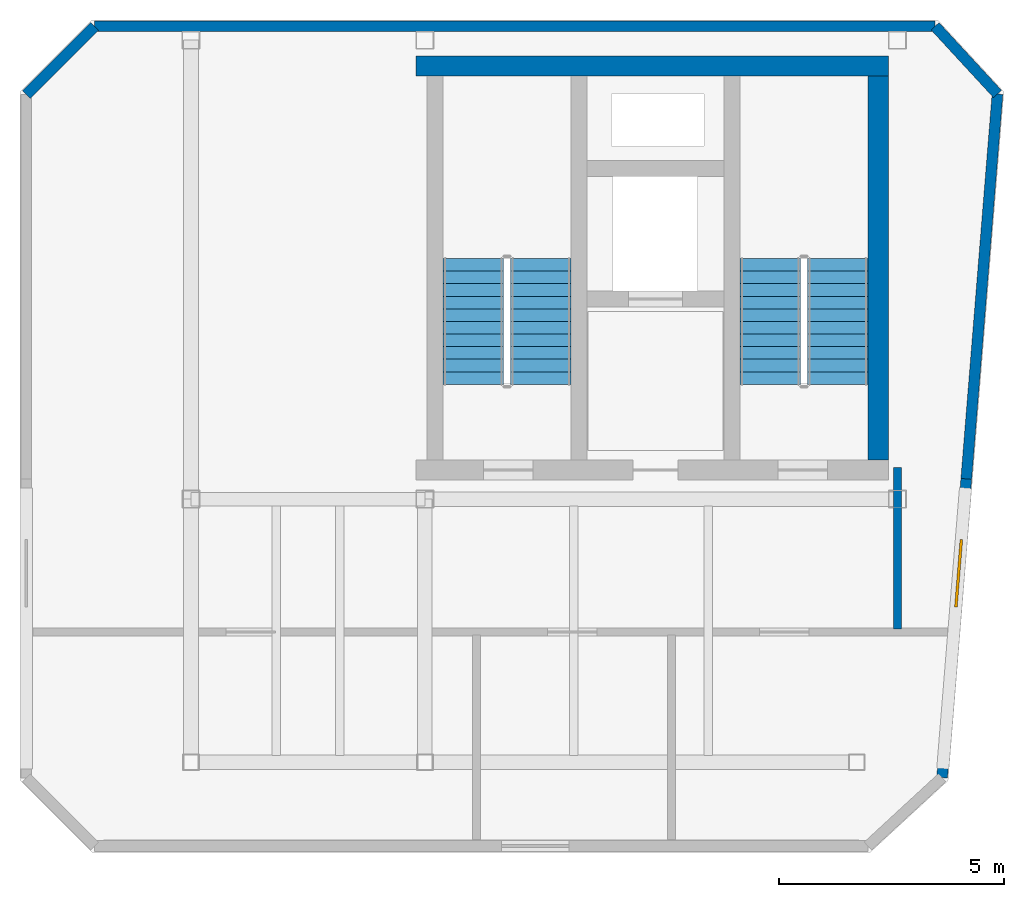
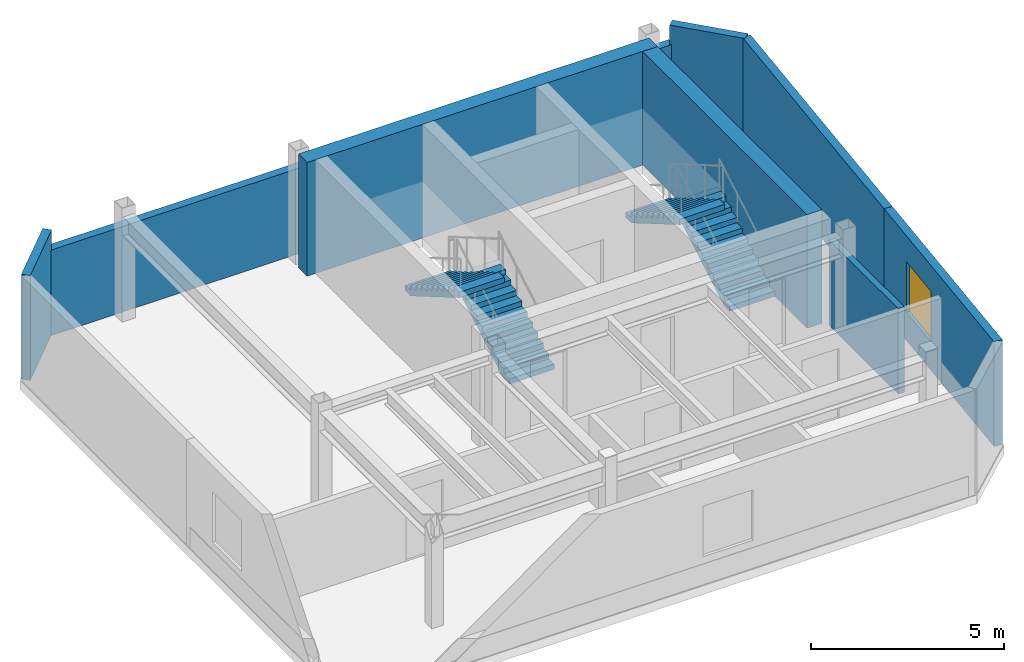
# One storey, part 2 of 3: 8 walls, 4 stair flights, 1 window, 1 opening, 2 elements without a shape of their own.
"""IFC4 building model written with IfcOpenShell, lengths in metres."""

from ifc_helpers import new_model, si_unit, direction, frame, frame_2d, origin, place, context, subcontext, project, spatial, polyline, rectangle, outline, extrude, material, layer, layer_set, type_object, element, fill, aggregate, save


model = new_model("IFC4")

# Units and contexts
model_context = context("Model", 3, precision=1e-05, world=origin(), true_north=direction((0.0, 1.0)))
body_context = subcontext(model_context, "Body", "Model", "MODEL_VIEW")
ifc_project = project(units=[si_unit("LENGTHUNIT", "METRE"), si_unit("AREAUNIT", "SQUARE_METRE"), si_unit("VOLUMEUNIT", "CUBIC_METRE"), si_unit("PLANEANGLEUNIT", "RADIAN"), si_unit("MASSUNIT", "GRAM", prefix="KILO")], contexts=[model_context])

# Site, building, storey
site_placement = place(None, origin())
site = spatial("IfcSite", under=ifc_project, at=site_placement, CompositionType="ELEMENT")
building_placement = place(site_placement, origin())
building = spatial("IfcBuilding", under=site, at=building_placement, Name="Kravanh Interchange Tower", CompositionType="ELEMENT")
storey_placement = place(building_placement, frame((0.0, 0.0, 326.39990234375)))
storey = spatial("IfcBuildingStorey", under=building, at=storey_placement, Name="L81", CompositionType="ELEMENT", Elevation=326.39990234375)

# Walls
ifc_material_1 = material(Name="Concrete C60/75", Category="concrete")
ifc_layer_1 = layer(ifc_material_1, 0.449951171875)
ifc_layer_set_1 = layer_set([ifc_layer_1], Name="Core Shear Wall Concrete C60/75 450mm")
wall_type_1 = type_object("IfcWallType", Name="Core Shear Wall Concrete C60/75 450mm", PredefinedType="SHEAR", material=ifc_layer_set_1)
wall_1_placement = place(storey_placement, frame((55.800048828125, 46.97509765625, 0.0), z_axis=(0.0, 0.0, 1.0), x_axis=(1.0, 0.0, 0.0)))
element("IfcWall", 1, at=wall_1_placement, inside=storey, type_object=wall_type_1, Name="L81 North Core Shear Wall", PredefinedType="SHEAR", context=body_context, shape_type="SweptSolid", body=[
    extrude(rectangle(XDim=10.5, YDim=0.449951171875, at=frame_2d((5.25, 0.0))), origin(), (0.0, 0.0, 1.0), 3.60009765625),
])
wall_2_placement = place(storey_placement, frame((66.074951171875, 38.22509765625, 0.0), z_axis=(0.0, 0.0, 1.0), x_axis=(0.0, 1.0, 0.0)))
element("IfcWall", 2, at=wall_2_placement, inside=storey, type_object=wall_type_1, Name="L81 Stair ST1 East Shear Wall", PredefinedType="SHEAR", context=body_context, shape_type="SweptSolid", body=[
    extrude(rectangle(XDim=8.52490234375, YDim=0.449951171875, at=frame_2d((4.262451171875, 0.0))), origin(), (0.0, 0.0, 1.0), 3.60009765625),
])
ifc_material_2 = material(Name="Insulated Concrete C40/50 with Bronze Rainscreen", Category="concrete")
ifc_layer_2 = layer(ifc_material_2, 0.239990234375)
ifc_layer_set_2 = layer_set([ifc_layer_2], Name="Exterior Insulated Concrete C40/50 Crown Enclosure Wall 240mm")
wall_type_2 = type_object("IfcWallType", Name="Exterior Insulated Concrete C40/50 Crown Enclosure Wall 240mm", PredefinedType="STANDARD", material=ifc_layer_set_2)
wall_3_placement = place(storey_placement, frame((47.139892578125, 46.342041015625, 0.0), z_axis=(0.0, 0.0, 1.0), x_axis=(0.707106781187, 0.707106781187, 0.0)))
element("IfcWall", 3, at=wall_3_placement, inside=storey, type_object=wall_type_2, Name="L81 Exterior Enclosure Wall 3", PredefinedType="STANDARD", context=body_context, shape_type="SweptSolid", body=[
    extrude(rectangle(XDim=2.14697265625, YDim=0.239990234375, at=frame_2d((1.073486328125, 0.0))), origin(), (0.0, 0.0, 1.0), 3.320068359375),
])
wall_4_placement = place(storey_placement, frame((48.657958984375, 47.860107421875, 0.0), z_axis=(0.0, 0.0, 1.0), x_axis=(1.0, 0.0, 0.0)))
element("IfcWall", 4, at=wall_4_placement, inside=storey, type_object=wall_type_2, Name="L81 Exterior Enclosure Wall 4", PredefinedType="STANDARD", context=body_context, shape_type="SweptSolid", body=[
    extrude(rectangle(XDim=18.6806640625, YDim=0.239990234375, at=frame_2d((9.34033203125, 0.0))), origin(), (0.0, 0.0, 1.0), 2.708984375),
])
wall_5_placement = place(storey_placement, frame((67.338623046875, 47.860107421875, 0.0), z_axis=(0.0, 0.0, 1.0), x_axis=(0.677962987297, -0.735096039886, 0.0)))
element("IfcWall", 5, at=wall_5_placement, inside=storey, type_object=wall_type_2, Name="L81 Exterior Enclosure Wall 5", PredefinedType="STANDARD", context=body_context, shape_type="SweptSolid", body=[
    extrude(rectangle(XDim=2.046875, YDim=0.239990234375, at=frame_2d((1.0234375, 0.0))), origin(), (0.0, 0.0, 1.0), 3.320068359375),
])
wall_6_placement = place(storey_placement, frame((68.726318359375, 46.35546875, 0.0), z_axis=(0.0, 0.0, 1.0), x_axis=(-0.080834961466, -0.996727499874, 0.0)))
element("IfcWall", 6, at=wall_6_placement, inside=storey, type_object=wall_type_2, Name="L81 Exterior Enclosure Wall 6", PredefinedType="STANDARD", context=body_context, shape_type="SweptSolid", body=[
    extrude(rectangle(XDim=8.58349609375, YDim=0.239990234375, at=frame_2d((4.291748046875, 0.0))), origin(), (0.0, 0.0, 1.0), 3.320068359375),
])

# Wall, opening, window
wall_7_placement = place(storey_placement, frame((68.032470703125, 37.800048828125, 0.0), z_axis=(0.0, 0.0, 1.0), x_axis=(-0.080815868766, -0.996729048115, 0.0)))
wall_7 = element("IfcWall", 7, at=wall_7_placement, inside=storey, type_object=wall_type_2, Name="L81 Exterior Enclosure Wall 7", PredefinedType="STANDARD", context=body_context, shape_type="SweptSolid", body=[
    extrude(rectangle(XDim=6.6611328125, YDim=0.239990234375, at=frame_2d((3.33056640625, 0.0))), origin(), (0.0, 0.0, 1.0), 3.320068359375),
])
opening_placement = place(wall_7_placement, frame((1.35400390625, 0.0, 0.89990234375)))
opening = element("IfcOpeningElement", 8, at=opening_placement, cuts=wall_7, Name="Opening WN-150X160", PredefinedType="OPENING", context=body_context, shape_type="SweptSolid", body=[
    extrude(rectangle(XDim=1.5, YDim=1.60009765625, at=frame_2d((0.75, 0.800048828125))), frame((0.0, 0.1298828125, 0.0), z_axis=(0.0, -1.0, 0.0), x_axis=(1.0, 0.0, 0.0)), (0.0, 0.0, 1.0), 0.260009765625),
])
ifc_material_3 = material(Name="Thermally Broken Bronze Aluminium and Low-E Glass", Category="aluminium")
window_type = type_object("IfcWindowType", Name="Crown Clerestory Window 1500x1600", PartitioningType="SINGLE_PANEL", PredefinedType="WINDOW", material=ifc_material_3)
window_placement = place(opening_placement, origin())
window = element("IfcWindow", 9, at=window_placement, inside=storey, type_object=window_type, Name="L81 Crown Clerestory Window 7", OverallHeight=1.60009765625, OverallWidth=1.5, PartitioningType="SINGLE_PANEL", PredefinedType="WINDOW", context=body_context, shape_type="SweptSolid", body=[
    extrude(rectangle(XDim=1.5, YDim=1.60009765625, at=frame_2d((0.75, 0.800048828125))), frame((0.0, 0.030029296875, 0.0), z_axis=(0.0, -1.0, 0.0), x_axis=(1.0, 0.0, 0.0)), (0.0, 0.0, 1.0), 0.06005859375),
])
fill(opening, window)

# Wall
ifc_material_4 = material(Name="Autoclaved Aerated Concrete C30/37 Blockwork", Category="masonry")
ifc_layer_3 = layer(ifc_material_4, 0.179931640625)
ifc_layer_set_3 = layer_set([ifc_layer_3], Name="Fire-Rated Lobby and Corridor Wall Concrete C30/37 180mm")
wall_type_3 = type_object("IfcWallType", Name="Fire-Rated Lobby and Corridor Wall Concrete C30/37 180mm", PredefinedType="STANDARD", material=ifc_layer_set_3)
wall_8_placement = place(storey_placement, frame((66.5, 34.468017578125, 0.0), z_axis=(0.0, 0.0, 1.0), x_axis=(0.0, 1.0, 0.0)))
element("IfcWall", 10, at=wall_8_placement, inside=storey, type_object=wall_type_3, Name="L81 Interior Partition 2", PredefinedType="STANDARD", context=body_context, shape_type="SweptSolid", body=[
    extrude(rectangle(XDim=3.58203125, YDim=0.179931640625, at=frame_2d((1.791015625, 0.0))), origin(), (0.0, 0.0, 1.0), 2.708984375),
])

# Stair, stair flights
ifc_material_5 = material(Name="Concrete C50/60", Category="concrete")
stair_type = type_object("IfcStairType", Name="Core Fire Exit Dogleg Stair Concrete C50/60", PredefinedType="HALF_TURN_STAIR", material=ifc_material_5)
stair_1_placement = place(storey_placement, origin())
stair_1 = element("IfcStair", 11, at=stair_1_placement, inside=storey, type_object=stair_type, Name="L81 Exit Stair ST1", PredefinedType="HALF_TURN_STAIR")
ifc_material_6 = material(Name="Precast Concrete C50/60", Category="concrete")
ifc_layer_4 = layer(ifc_material_6, 0.199951171875)
ifc_layer_set_4 = layer_set([ifc_layer_4], Name="Precast Concrete C50/60 Stair Flight 1350mm")
stair_flight_type = type_object("IfcStairFlightType", Name="Precast Concrete C50/60 Stair Flight 1350mm", PredefinedType="STRAIGHT", material=ifc_layer_set_4)
stair_flight_1_placement = place(storey_placement, frame((65.175048828125, 39.89990234375, 0.0), z_axis=(0.0, 0.0, 1.0), x_axis=(0.0, 1.0, 0.0)))
stair_flight_1 = element("IfcStairFlight", 12, at=stair_flight_1_placement, type_object=stair_flight_type, Name="ST1 flight 1", NumberOfRisers=11, NumberOfTreads=10, PredefinedType="STRAIGHT", RiserHeight=0.163636364, TreadLength=0.28, context=body_context, shape_type="SweptSolid", body=[
    extrude(outline(polyline([(0.0, 0.0), (0.0, 0.16357421875), (0.280029296875, 0.16357421875), (0.280029296875, 0.327392578125), (0.56005859375, 0.327392578125), (0.56005859375, 0.490966796875), (0.840087890625, 0.490966796875), (0.840087890625, 0.654541015625), (1.1201171875, 0.654541015625), (1.1201171875, 0.818115234375), (1.39990234375, 0.818115234375), (1.39990234375, 0.98193359375), (1.679931640625, 0.98193359375), (1.679931640625, 1.1455078125), (1.9599609375, 1.1455078125), (1.9599609375, 1.30908203125), (2.239990234375, 1.30908203125), (2.239990234375, 1.47265625), (2.52001953125, 1.47265625), (2.52001953125, 1.636474609375), (2.800048828125, 1.636474609375), (2.800048828125, 1.800048828125), (2.800048828125, 1.462646484375), (0.297119140625, 0.0), (0.0, 0.0)])), frame((0.0, 0.675048828125, 0.0), z_axis=(0.0, -1.0, 0.0), x_axis=(1.0, 0.0, 0.0)), (0.0, 0.0, 1.0), 1.35009765625),
])
stair_flight_2_placement = place(storey_placement, frame((63.675048828125, 42.699951171875, 1.800048828125), z_axis=(0.0, 0.0, 1.0), x_axis=(0.0, -1.0, 0.0)))
stair_flight_2 = element("IfcStairFlight", 13, at=stair_flight_2_placement, type_object=stair_flight_type, Name="ST1 flight 2", NumberOfRisers=11, NumberOfTreads=10, PredefinedType="STRAIGHT", RiserHeight=0.163636364, TreadLength=0.28, context=body_context, shape_type="SweptSolid", body=[
    extrude(outline(polyline([(0.0, 0.0), (0.0, 0.16357421875), (0.280029296875, 0.16357421875), (0.280029296875, 0.327392578125), (0.56005859375, 0.327392578125), (0.56005859375, 0.490966796875), (0.840087890625, 0.490966796875), (0.840087890625, 0.654541015625), (1.1201171875, 0.654541015625), (1.1201171875, 0.818115234375), (1.39990234375, 0.818115234375), (1.39990234375, 0.98193359375), (1.679931640625, 0.98193359375), (1.679931640625, 1.1455078125), (1.9599609375, 1.1455078125), (1.9599609375, 1.30908203125), (2.239990234375, 1.30908203125), (2.239990234375, 1.47265625), (2.52001953125, 1.47265625), (2.52001953125, 1.636474609375), (2.800048828125, 1.636474609375), (2.800048828125, 1.800048828125), (2.800048828125, 1.462646484375), (0.297119140625, 0.0), (0.0, 0.0)])), frame((0.0, 0.675048828125, 0.0), z_axis=(0.0, -1.0, 0.0), x_axis=(1.0, 0.0, 0.0)), (0.0, 0.0, 1.0), 1.35009765625),
])
aggregate(stair_1, [stair_flight_1, stair_flight_2])

stair_2_placement = place(storey_placement, origin())
stair_2 = element("IfcStair", 14, at=stair_2_placement, inside=storey, type_object=stair_type, Name="L81 Exit Stair ST2", PredefinedType="HALF_TURN_STAIR")
stair_flight_3_placement = place(storey_placement, frame((58.574951171875, 39.89990234375, 0.0), z_axis=(0.0, 0.0, 1.0), x_axis=(0.0, 1.0, 0.0)))
stair_flight_3 = element("IfcStairFlight", 15, at=stair_flight_3_placement, type_object=stair_flight_type, Name="ST2 flight 1", NumberOfRisers=11, NumberOfTreads=10, PredefinedType="STRAIGHT", RiserHeight=0.163636364, TreadLength=0.28, context=body_context, shape_type="SweptSolid", body=[
    extrude(outline(polyline([(0.0, 0.0), (0.0, 0.16357421875), (0.280029296875, 0.16357421875), (0.280029296875, 0.327392578125), (0.56005859375, 0.327392578125), (0.56005859375, 0.490966796875), (0.840087890625, 0.490966796875), (0.840087890625, 0.654541015625), (1.1201171875, 0.654541015625), (1.1201171875, 0.818115234375), (1.39990234375, 0.818115234375), (1.39990234375, 0.98193359375), (1.679931640625, 0.98193359375), (1.679931640625, 1.1455078125), (1.9599609375, 1.1455078125), (1.9599609375, 1.30908203125), (2.239990234375, 1.30908203125), (2.239990234375, 1.47265625), (2.52001953125, 1.47265625), (2.52001953125, 1.636474609375), (2.800048828125, 1.636474609375), (2.800048828125, 1.800048828125), (2.800048828125, 1.462646484375), (0.297119140625, 0.0), (0.0, 0.0)])), frame((0.0, 0.675048828125, 0.0), z_axis=(0.0, -1.0, 0.0), x_axis=(1.0, 0.0, 0.0)), (0.0, 0.0, 1.0), 1.35009765625),
])
stair_flight_4_placement = place(storey_placement, frame((57.074951171875, 42.699951171875, 1.800048828125), z_axis=(0.0, 0.0, 1.0), x_axis=(0.0, -1.0, 0.0)))
stair_flight_4 = element("IfcStairFlight", 16, at=stair_flight_4_placement, type_object=stair_flight_type, Name="ST2 flight 2", NumberOfRisers=11, NumberOfTreads=10, PredefinedType="STRAIGHT", RiserHeight=0.163636364, TreadLength=0.28, context=body_context, shape_type="SweptSolid", body=[
    extrude(outline(polyline([(0.0, 0.0), (0.0, 0.16357421875), (0.280029296875, 0.16357421875), (0.280029296875, 0.327392578125), (0.56005859375, 0.327392578125), (0.56005859375, 0.490966796875), (0.840087890625, 0.490966796875), (0.840087890625, 0.654541015625), (1.1201171875, 0.654541015625), (1.1201171875, 0.818115234375), (1.39990234375, 0.818115234375), (1.39990234375, 0.98193359375), (1.679931640625, 0.98193359375), (1.679931640625, 1.1455078125), (1.9599609375, 1.1455078125), (1.9599609375, 1.30908203125), (2.239990234375, 1.30908203125), (2.239990234375, 1.47265625), (2.52001953125, 1.47265625), (2.52001953125, 1.636474609375), (2.800048828125, 1.636474609375), (2.800048828125, 1.800048828125), (2.800048828125, 1.462646484375), (0.297119140625, 0.0), (0.0, 0.0)])), frame((0.0, 0.675048828125, 0.0), z_axis=(0.0, -1.0, 0.0), x_axis=(1.0, 0.0, 0.0)), (0.0, 0.0, 1.0), 1.35009765625),
])
aggregate(stair_2, [stair_flight_3, stair_flight_4])

save(model, "model.ifc")
